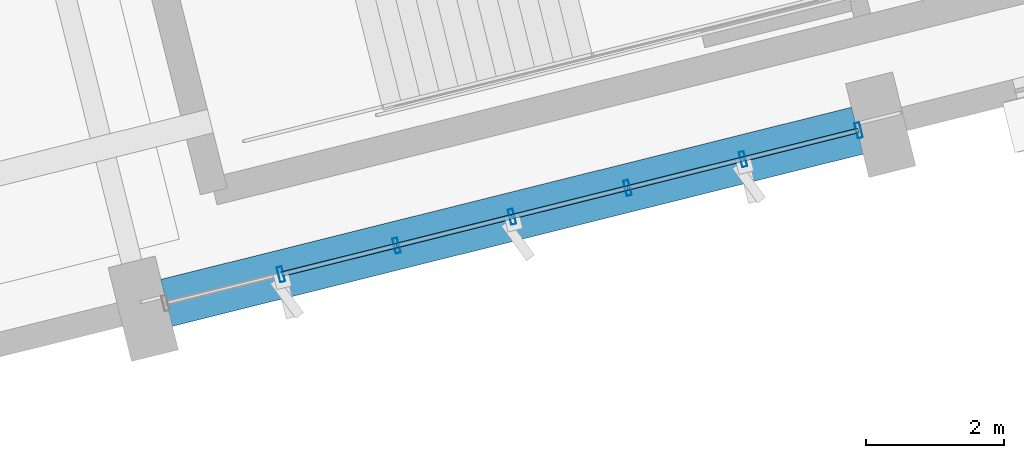
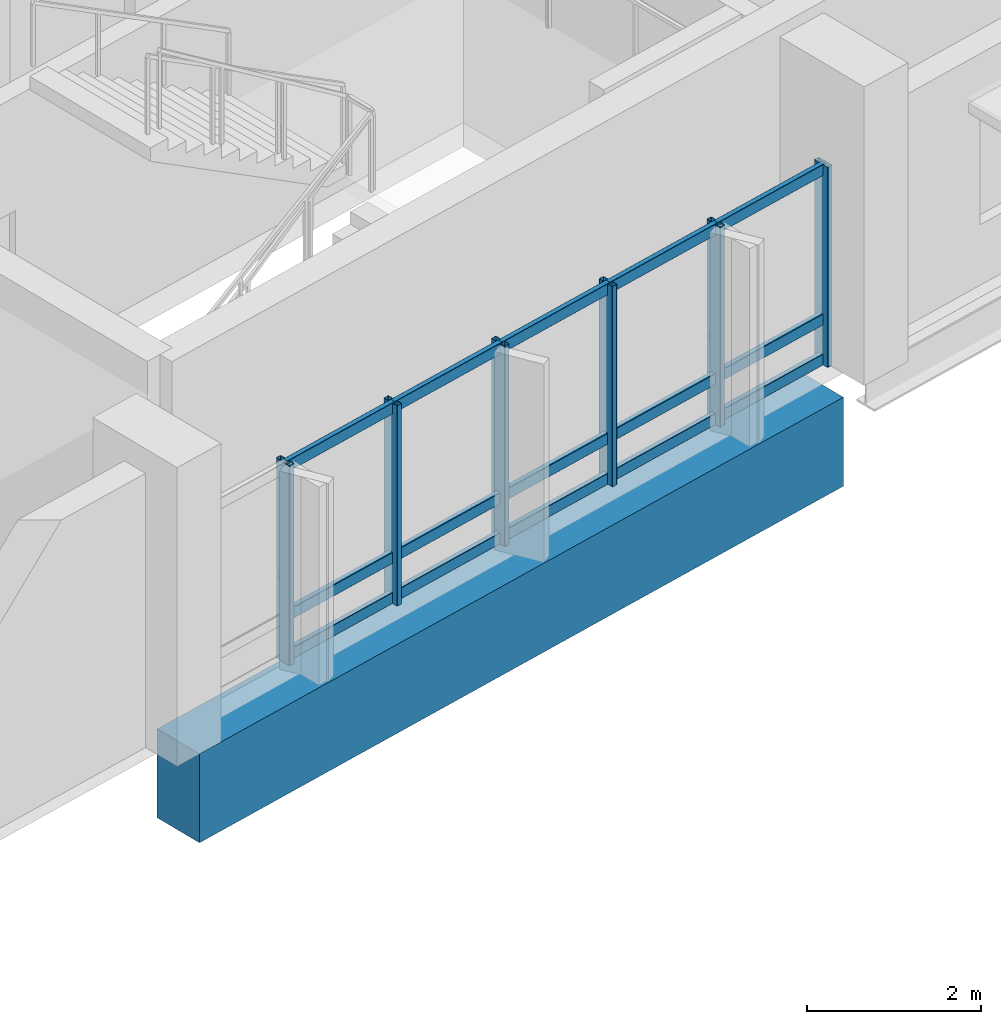
# One storey, part 7 of 42: 21 members, 1 beam, 1 element without a shape of its own.
"""IFC4 building model written with IfcOpenShell, lengths in metres."""

from ifc_helpers import new_model, si_unit, direction, frame, origin, origin_2d, place, context, subcontext, project, spatial, rectangle, hollow_rectangle, extrude, material, layer, layer_set, material_profile, profile_set, type_object, element, aggregate, save


model = new_model("IFC4")

# Units and contexts
model_context = context("Model", 3, precision=1e-05, world=origin(), true_north=direction((0.0, 1.0)))
body_context = subcontext(model_context, "Body", "Model", "MODEL_VIEW")
ifc_project = project(units=[si_unit("LENGTHUNIT", "METRE"), si_unit("AREAUNIT", "SQUARE_METRE"), si_unit("VOLUMEUNIT", "CUBIC_METRE"), si_unit("PLANEANGLEUNIT", "RADIAN"), si_unit("MASSUNIT", "GRAM", prefix="KILO")], contexts=[model_context])

# Site, building, storey
site_placement = place(None, origin())
site = spatial("IfcSite", under=ifc_project, at=site_placement, CompositionType="ELEMENT")
building_placement = place(site_placement, origin())
building = spatial("IfcBuilding", under=site, at=building_placement, Name="Khorjan Park Terminus", CompositionType="ELEMENT")
storey_placement = place(building_placement, frame((0.0, 0.0, 20.4)))
storey = spatial("IfcBuildingStorey", under=building, at=storey_placement, Name="L04", CompositionType="ELEMENT", Elevation=20.4)

# Beam
ifc_material_1 = material(Name="Concrete C40/50", Category="concrete")
ifc_material_profile_1 = material_profile(ifc_material_1, rectangle(XDim=0.7, YDim=1.25, at=origin_2d()), Name="RC 700x1250")
ifc_profile_set_1 = profile_set([ifc_material_profile_1], Name="Concrete C40/50")
beam_type = type_object("IfcBeamType", Name="BM-RC700x1250", PredefinedType="BEAM", material=ifc_profile_set_1)
beam_placement = place(storey_placement, frame((198.3545, 10.0669, -0.965), z_axis=(0.970296351811, 0.241919386702, 0.0), x_axis=(-0.241919386702, 0.970296351811, 0.0)))
element("IfcBeam", 1, at=beam_placement, inside=storey, type_object=beam_type, Name="Primary skew-grid floor girder GB-125 (L04)", PredefinedType="BEAM", context=body_context, shape_type="SweptSolid", body=[
    extrude(rectangle(XDim=0.7, YDim=1.25, at=origin_2d()), origin(), (0.0, 0.0, 1.0), 10.31),
])

# Curtain wall, members
ifc_material_2 = material(Name="Anodized Bronze Aluminium", Category="aluminium")
ifc_layer = layer(ifc_material_2, 0.22)
ifc_layer_set = layer_set([ifc_layer], Name="Anodized Bronze Aluminium")
curtain_wall_type = type_object("IfcCurtainWallType", Name="CW-OPS-B", PredefinedType="NOTDEFINED", material=ifc_layer_set)
curtain_wall_placement = place(storey_placement, origin())
curtain_wall = element("IfcCurtainWall", 2, at=curtain_wall_placement, inside=storey, type_object=curtain_wall_type, Name="Unitized curtain wall CW-B (CW-V5-S-L04-B03)", PredefinedType="NOTDEFINED")
ifc_material_profile_2 = material_profile(ifc_material_2, hollow_rectangle(XDim=0.075, YDim=0.225, WallThickness=0.005, InnerFilletRadius=0.005, OuterFilletRadius=0.01, at=origin_2d()), Name="ALM 75x225x5")
ifc_profile_set_2 = profile_set([ifc_material_profile_2], Name="Anodized Bronze Aluminium")
member_type_1 = type_object("IfcMemberType", Name="ML-ALM-225", PredefinedType="MULLION", material=ifc_profile_set_2)
member_1_placement = place(storey_placement, frame((200.0122, 10.4802, -0.035), z_axis=(0.0, 0.0, 1.0), x_axis=(0.970294772494, 0.241925720978, 0.0)))
member_1 = element("IfcMember", 3, at=member_1_placement, type_object=member_type_1, Name="Curtain-wall mullion ML-22 (CW-V5-S-L04-B03-1)", PredefinedType="MULLION", context=body_context, shape_type="SweptSolid", body=[
    extrude(hollow_rectangle(XDim=0.075, YDim=0.225, WallThickness=0.005, InnerFilletRadius=0.005, OuterFilletRadius=0.01, at=origin_2d()), origin(), (0.0, 0.0, 1.0), 2.815),
])
member_2_placement = place(storey_placement, frame((201.6844, 10.8971, -0.035), z_axis=(0.0, 0.0, 1.0), x_axis=(0.970294772494, 0.241925720978, 0.0)))
member_2 = element("IfcMember", 4, at=member_2_placement, type_object=member_type_1, Name="Curtain-wall mullion ML-22 (CW-V5-S-L04-B03-2)", PredefinedType="MULLION", context=body_context, shape_type="SweptSolid", body=[
    extrude(hollow_rectangle(XDim=0.075, YDim=0.225, WallThickness=0.005, InnerFilletRadius=0.005, OuterFilletRadius=0.01, at=origin_2d()), origin(), (0.0, 0.0, 1.0), 2.815),
])
member_3_placement = place(storey_placement, frame((203.3565, 11.314, -0.035), z_axis=(0.0, 0.0, 1.0), x_axis=(0.970294772494, 0.241925720978, 0.0)))
member_3 = element("IfcMember", 5, at=member_3_placement, type_object=member_type_1, Name="Curtain-wall mullion ML-22 (CW-V5-S-L04-B03-3)", PredefinedType="MULLION", context=body_context, shape_type="SweptSolid", body=[
    extrude(hollow_rectangle(XDim=0.075, YDim=0.225, WallThickness=0.005, InnerFilletRadius=0.005, OuterFilletRadius=0.01, at=origin_2d()), origin(), (0.0, 0.0, 1.0), 2.815),
])
member_4_placement = place(storey_placement, frame((205.0286, 11.731, -0.035), z_axis=(0.0, 0.0, 1.0), x_axis=(0.970294772494, 0.241925720978, 0.0)))
member_4 = element("IfcMember", 6, at=member_4_placement, type_object=member_type_1, Name="Curtain-wall mullion ML-22 (CW-V5-S-L04-B03-4)", PredefinedType="MULLION", context=body_context, shape_type="SweptSolid", body=[
    extrude(hollow_rectangle(XDim=0.075, YDim=0.225, WallThickness=0.005, InnerFilletRadius=0.005, OuterFilletRadius=0.01, at=origin_2d()), origin(), (0.0, 0.0, 1.0), 2.815),
])
member_5_placement = place(storey_placement, frame((206.7008, 12.1479, -0.035), z_axis=(0.0, 0.0, 1.0), x_axis=(0.970294772494, 0.241925720978, 0.0)))
member_5 = element("IfcMember", 7, at=member_5_placement, type_object=member_type_1, Name="Curtain-wall mullion ML-22 (CW-V5-S-L04-B03-5)", PredefinedType="MULLION", context=body_context, shape_type="SweptSolid", body=[
    extrude(hollow_rectangle(XDim=0.075, YDim=0.225, WallThickness=0.005, InnerFilletRadius=0.005, OuterFilletRadius=0.01, at=origin_2d()), origin(), (0.0, 0.0, 1.0), 2.815),
])
member_6_placement = place(storey_placement, frame((208.3729, 12.5648, -0.035), z_axis=(0.0, 0.0, 1.0), x_axis=(0.970294772494, 0.241925720978, 0.0)))
member_6 = element("IfcMember", 8, at=member_6_placement, type_object=member_type_1, Name="Curtain-wall mullion ML-22 (CW-V5-S-L04-B03-6)", PredefinedType="MULLION", context=body_context, shape_type="SweptSolid", body=[
    extrude(hollow_rectangle(XDim=0.075, YDim=0.225, WallThickness=0.005, InnerFilletRadius=0.005, OuterFilletRadius=0.01, at=origin_2d()), origin(), (0.0, 0.0, 1.0), 2.815),
])
ifc_material_profile_3 = material_profile(ifc_material_2, hollow_rectangle(XDim=0.07, YDim=0.16, WallThickness=0.004, InnerFilletRadius=0.004, OuterFilletRadius=0.008, at=origin_2d()), Name="ALT 70x160x4")
ifc_profile_set_3 = profile_set([ifc_material_profile_3], Name="Anodized Bronze Aluminium")
member_type_2 = type_object("IfcMemberType", Name="TR-ALT-160", PredefinedType="USERDEFINED", material=ifc_profile_set_3)
member_7_placement = place(storey_placement, frame((200.0122, 10.4802, 0.04), z_axis=(0.970299306534, 0.241907535518, 0.0), x_axis=(-0.241907535518, 0.970299306534, 0.0)))
member_7 = element("IfcMember", 9, at=member_7_placement, type_object=member_type_2, Name="Curtain-wall transom TR-16 (CW-V5-S-L04-B03-1-1)", ObjectType="TRANSOM", PredefinedType="USERDEFINED", context=body_context, shape_type="SweptSolid", body=[
    extrude(hollow_rectangle(XDim=0.07, YDim=0.16, WallThickness=0.004, InnerFilletRadius=0.004, OuterFilletRadius=0.008, at=origin_2d()), origin(), (0.0, 0.0, 1.0), 1.7234),
])
member_8_placement = place(storey_placement, frame((200.0122, 10.4802, 0.604), z_axis=(0.970299306534, 0.241907535518, 0.0), x_axis=(-0.241907535518, 0.970299306534, 0.0)))
member_8 = element("IfcMember", 10, at=member_8_placement, type_object=member_type_2, Name="Curtain-wall transom TR-16 (CW-V5-S-L04-B03-1-2)", ObjectType="TRANSOM", PredefinedType="USERDEFINED", context=body_context, shape_type="SweptSolid", body=[
    extrude(hollow_rectangle(XDim=0.07, YDim=0.16, WallThickness=0.004, InnerFilletRadius=0.004, OuterFilletRadius=0.008, at=origin_2d()), origin(), (0.0, 0.0, 1.0), 1.7234),
])
member_9_placement = place(storey_placement, frame((200.0122, 10.4802, 2.705), z_axis=(0.970299306534, 0.241907535518, 0.0), x_axis=(-0.241907535518, 0.970299306534, 0.0)))
member_9 = element("IfcMember", 11, at=member_9_placement, type_object=member_type_2, Name="Curtain-wall transom TR-16 (CW-V5-S-L04-B03-1-3)", ObjectType="TRANSOM", PredefinedType="USERDEFINED", context=body_context, shape_type="SweptSolid", body=[
    extrude(hollow_rectangle(XDim=0.07, YDim=0.16, WallThickness=0.004, InnerFilletRadius=0.004, OuterFilletRadius=0.008, at=origin_2d()), origin(), (0.0, 0.0, 1.0), 1.7234),
])
member_10_placement = place(storey_placement, frame((201.6844, 10.8971, 0.04), z_axis=(0.970295910649, 0.241921156121, 0.0), x_axis=(-0.241921156121, 0.970295910649, 0.0)))
member_10 = element("IfcMember", 12, at=member_10_placement, type_object=member_type_2, Name="Curtain-wall transom TR-16 (CW-V5-S-L04-B03-2-1)", ObjectType="TRANSOM", PredefinedType="USERDEFINED", context=body_context, shape_type="SweptSolid", body=[
    extrude(hollow_rectangle(XDim=0.07, YDim=0.16, WallThickness=0.004, InnerFilletRadius=0.004, OuterFilletRadius=0.008, at=origin_2d()), origin(), (0.0, 0.0, 1.0), 1.7233),
])
member_11_placement = place(storey_placement, frame((201.6844, 10.8971, 0.604), z_axis=(0.970295910649, 0.241921156121, 0.0), x_axis=(-0.241921156121, 0.970295910649, 0.0)))
member_11 = element("IfcMember", 13, at=member_11_placement, type_object=member_type_2, Name="Curtain-wall transom TR-16 (CW-V5-S-L04-B03-2-2)", ObjectType="TRANSOM", PredefinedType="USERDEFINED", context=body_context, shape_type="SweptSolid", body=[
    extrude(hollow_rectangle(XDim=0.07, YDim=0.16, WallThickness=0.004, InnerFilletRadius=0.004, OuterFilletRadius=0.008, at=origin_2d()), origin(), (0.0, 0.0, 1.0), 1.7233),
])
member_12_placement = place(storey_placement, frame((201.6844, 10.8971, 2.705), z_axis=(0.970295910649, 0.241921156121, 0.0), x_axis=(-0.241921156121, 0.970295910649, 0.0)))
member_12 = element("IfcMember", 14, at=member_12_placement, type_object=member_type_2, Name="Curtain-wall transom TR-16 (CW-V5-S-L04-B03-2-3)", ObjectType="TRANSOM", PredefinedType="USERDEFINED", context=body_context, shape_type="SweptSolid", body=[
    extrude(hollow_rectangle(XDim=0.07, YDim=0.16, WallThickness=0.004, InnerFilletRadius=0.004, OuterFilletRadius=0.008, at=origin_2d()), origin(), (0.0, 0.0, 1.0), 1.7233),
])
member_13_placement = place(storey_placement, frame((203.3565, 11.314, 0.04), z_axis=(0.970282287956, 0.24197578738, 0.0), x_axis=(-0.24197578738, 0.970282287956, 0.0)))
member_13 = element("IfcMember", 15, at=member_13_placement, type_object=member_type_2, Name="Curtain-wall transom TR-16 (CW-V5-S-L04-B03-3-1)", ObjectType="TRANSOM", PredefinedType="USERDEFINED", context=body_context, shape_type="SweptSolid", body=[
    extrude(hollow_rectangle(XDim=0.07, YDim=0.16, WallThickness=0.004, InnerFilletRadius=0.004, OuterFilletRadius=0.008, at=origin_2d()), origin(), (0.0, 0.0, 1.0), 1.7233),
])
member_14_placement = place(storey_placement, frame((203.3565, 11.314, 0.604), z_axis=(0.970282287956, 0.24197578738, 0.0), x_axis=(-0.24197578738, 0.970282287956, 0.0)))
member_14 = element("IfcMember", 16, at=member_14_placement, type_object=member_type_2, Name="Curtain-wall transom TR-16 (CW-V5-S-L04-B03-3-2)", ObjectType="TRANSOM", PredefinedType="USERDEFINED", context=body_context, shape_type="SweptSolid", body=[
    extrude(hollow_rectangle(XDim=0.07, YDim=0.16, WallThickness=0.004, InnerFilletRadius=0.004, OuterFilletRadius=0.008, at=origin_2d()), origin(), (0.0, 0.0, 1.0), 1.7233),
])
member_15_placement = place(storey_placement, frame((203.3565, 11.314, 2.705), z_axis=(0.970282287956, 0.24197578738, 0.0), x_axis=(-0.24197578738, 0.970282287956, 0.0)))
member_15 = element("IfcMember", 17, at=member_15_placement, type_object=member_type_2, Name="Curtain-wall transom TR-16 (CW-V5-S-L04-B03-3-3)", ObjectType="TRANSOM", PredefinedType="USERDEFINED", context=body_context, shape_type="SweptSolid", body=[
    extrude(hollow_rectangle(XDim=0.07, YDim=0.16, WallThickness=0.004, InnerFilletRadius=0.004, OuterFilletRadius=0.008, at=origin_2d()), origin(), (0.0, 0.0, 1.0), 1.7233),
])
member_16_placement = place(storey_placement, frame((205.0286, 11.731, 0.04), z_axis=(0.970299306534, 0.241907535518, 0.0), x_axis=(-0.241907535518, 0.970299306534, 0.0)))
member_16 = element("IfcMember", 18, at=member_16_placement, type_object=member_type_2, Name="Curtain-wall transom TR-16 (CW-V5-S-L04-B03-4-1)", ObjectType="TRANSOM", PredefinedType="USERDEFINED", context=body_context, shape_type="SweptSolid", body=[
    extrude(hollow_rectangle(XDim=0.07, YDim=0.16, WallThickness=0.004, InnerFilletRadius=0.004, OuterFilletRadius=0.008, at=origin_2d()), origin(), (0.0, 0.0, 1.0), 1.7234),
])
member_17_placement = place(storey_placement, frame((205.0286, 11.731, 0.604), z_axis=(0.970299306534, 0.241907535518, 0.0), x_axis=(-0.241907535518, 0.970299306534, 0.0)))
member_17 = element("IfcMember", 19, at=member_17_placement, type_object=member_type_2, Name="Curtain-wall transom TR-16 (CW-V5-S-L04-B03-4-2)", ObjectType="TRANSOM", PredefinedType="USERDEFINED", context=body_context, shape_type="SweptSolid", body=[
    extrude(hollow_rectangle(XDim=0.07, YDim=0.16, WallThickness=0.004, InnerFilletRadius=0.004, OuterFilletRadius=0.008, at=origin_2d()), origin(), (0.0, 0.0, 1.0), 1.7234),
])
member_18_placement = place(storey_placement, frame((205.0286, 11.731, 2.705), z_axis=(0.970299306534, 0.241907535518, 0.0), x_axis=(-0.241907535518, 0.970299306534, 0.0)))
member_18 = element("IfcMember", 20, at=member_18_placement, type_object=member_type_2, Name="Curtain-wall transom TR-16 (CW-V5-S-L04-B03-4-3)", ObjectType="TRANSOM", PredefinedType="USERDEFINED", context=body_context, shape_type="SweptSolid", body=[
    extrude(hollow_rectangle(XDim=0.07, YDim=0.16, WallThickness=0.004, InnerFilletRadius=0.004, OuterFilletRadius=0.008, at=origin_2d()), origin(), (0.0, 0.0, 1.0), 1.7234),
])
member_19_placement = place(storey_placement, frame((206.7008, 12.1479, 0.04), z_axis=(0.970295910649, 0.241921156121, 0.0), x_axis=(-0.241921156121, 0.970295910649, 0.0)))
member_19 = element("IfcMember", 21, at=member_19_placement, type_object=member_type_2, Name="Curtain-wall transom TR-16 (CW-V5-S-L04-B03-5-1)", ObjectType="TRANSOM", PredefinedType="USERDEFINED", context=body_context, shape_type="SweptSolid", body=[
    extrude(hollow_rectangle(XDim=0.07, YDim=0.16, WallThickness=0.004, InnerFilletRadius=0.004, OuterFilletRadius=0.008, at=origin_2d()), origin(), (0.0, 0.0, 1.0), 1.7233),
])
member_20_placement = place(storey_placement, frame((206.7008, 12.1479, 0.604), z_axis=(0.970295910649, 0.241921156121, 0.0), x_axis=(-0.241921156121, 0.970295910649, 0.0)))
member_20 = element("IfcMember", 22, at=member_20_placement, type_object=member_type_2, Name="Curtain-wall transom TR-16 (CW-V5-S-L04-B03-5-2)", ObjectType="TRANSOM", PredefinedType="USERDEFINED", context=body_context, shape_type="SweptSolid", body=[
    extrude(hollow_rectangle(XDim=0.07, YDim=0.16, WallThickness=0.004, InnerFilletRadius=0.004, OuterFilletRadius=0.008, at=origin_2d()), origin(), (0.0, 0.0, 1.0), 1.7233),
])
member_21_placement = place(storey_placement, frame((206.7008, 12.1479, 2.705), z_axis=(0.970295910649, 0.241921156121, 0.0), x_axis=(-0.241921156121, 0.970295910649, 0.0)))
member_21 = element("IfcMember", 23, at=member_21_placement, type_object=member_type_2, Name="Curtain-wall transom TR-16 (CW-V5-S-L04-B03-5-3)", ObjectType="TRANSOM", PredefinedType="USERDEFINED", context=body_context, shape_type="SweptSolid", body=[
    extrude(hollow_rectangle(XDim=0.07, YDim=0.16, WallThickness=0.004, InnerFilletRadius=0.004, OuterFilletRadius=0.008, at=origin_2d()), origin(), (0.0, 0.0, 1.0), 1.7233),
])
aggregate(curtain_wall, [member_1, member_2, member_3, member_4, member_5, member_6, member_7, member_8, member_9, member_10, member_11, member_12, member_13, member_14, member_15, member_16, member_17, member_18, member_19, member_20, member_21])

save(model, "model.ifc")
